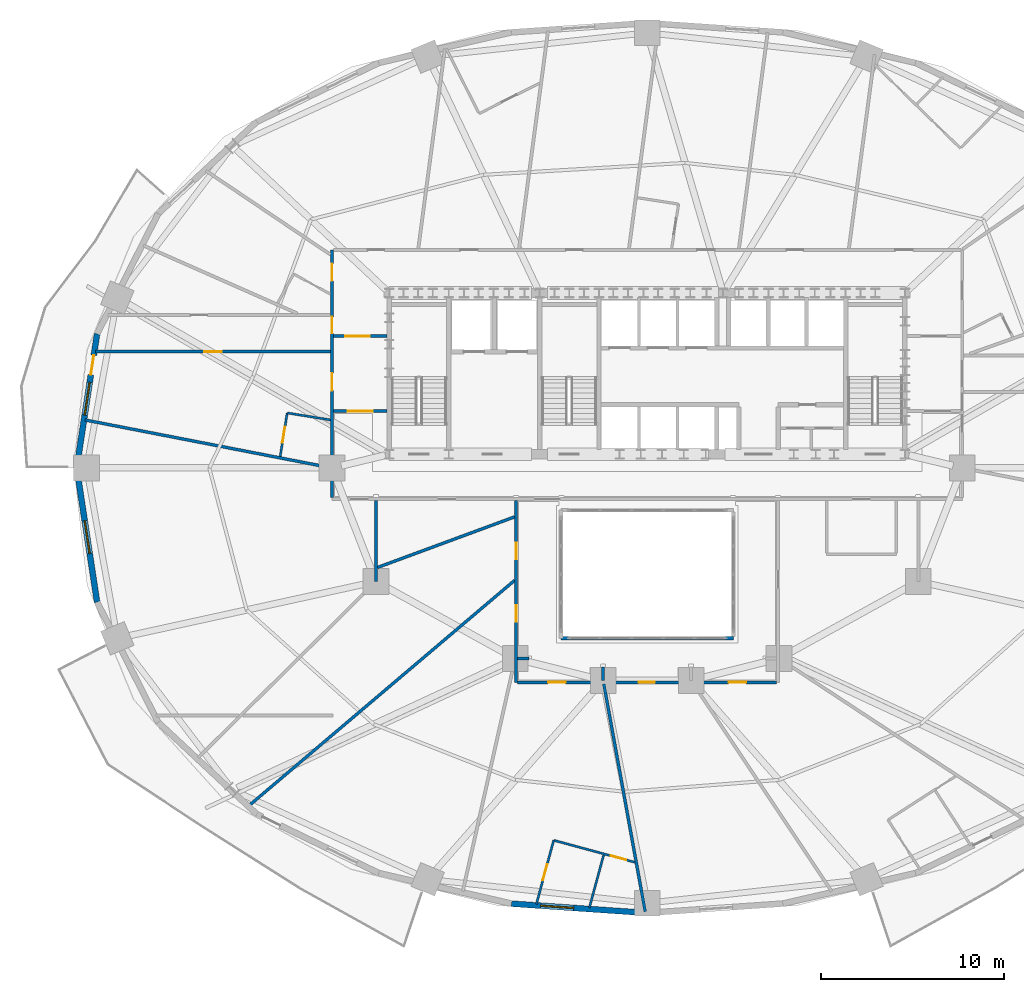
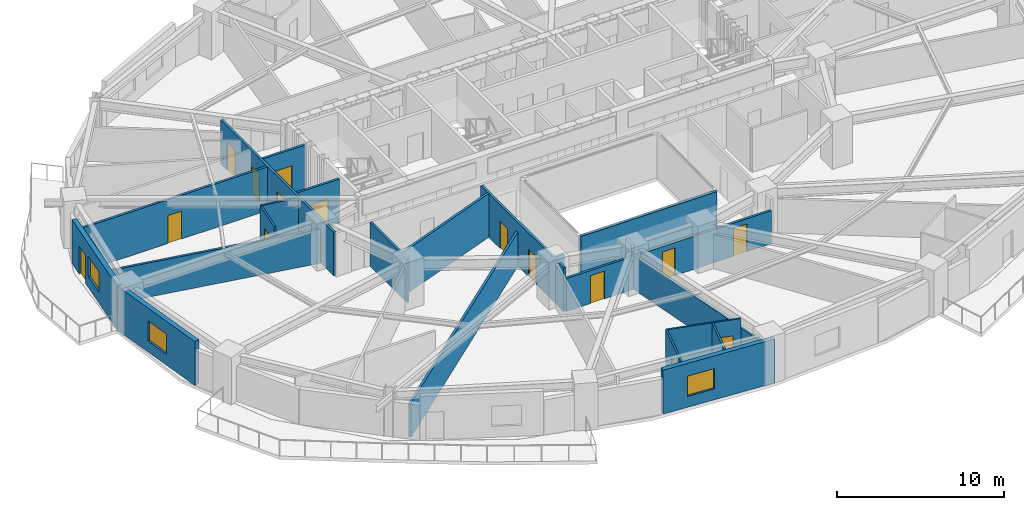
# One storey, part 9 of 17: 22 walls, 15 doors, 3 windows, 18 openings.
"""IFC4 building model written with IfcOpenShell, lengths in metres."""

import ifcopenshell
import ifcopenshell.guid

model = None  # the IFC model being written
_history = None  # IfcOwnerHistory: only IFC2X3 demands one
_inside = {}  # id of a spatial element -> (the spatial element, [elements in it])
_under = {}  # id of a project, library or spatial element -> (it, [spatial elements below it])
_declared = {}  # id of a project -> (the project, [libraries it declares])
_typed = {}  # id of a type object -> (the type object, [elements of that type])
_made_of = {}  # id of a material, layer set ... -> (it, [elements and type objects made of it])


def new_model(schema):
    """Start an empty IFC model of exactly this schema.

    Asked for "IFC4X3", IfcOpenShell would pick the latest addendum, in which some entities
    have other attributes; the version numbers below select the first issue.
    IFC2X3 requires an IfcOwnerHistory on every rooted entity: one is made here for all.
    """
    global model, _history
    if schema == "IFC4X3":
        model = ifcopenshell.file(schema_version=(4, 3, 0, 0))
    else:
        model = ifcopenshell.file(schema=schema)
    _inside.clear()
    _under.clear()
    _declared.clear()
    _typed.clear()
    _made_of.clear()
    _history = None
    if model.schema == "IFC2X3":
        org = make("IfcOrganization", Name="unknown")
        user = make(
            "IfcPersonAndOrganization",
            ThePerson=make("IfcPerson", FamilyName="unknown"),
            TheOrganization=org,
        )
        app = make(
            "IfcApplication",
            ApplicationDeveloper=org,
            Version="unknown",
            ApplicationFullName="unknown",
            ApplicationIdentifier="unknown",
        )
        _history = make(
            "IfcOwnerHistory",
            OwningUser=user,
            OwningApplication=app,
            ChangeAction="ADDED",
            CreationDate=0,
        )
    return model


def make(cls, **values):
    """One entity of the class cls with the attributes given. An attribute that is None is left unset."""
    return model.create_entity(
        cls, **{name: value for name, value in values.items() if value is not None}
    )


def rooted(cls, **values):
    """An entity with a GlobalId (a new one), such as an element, a storey or a relation."""
    return make(cls, GlobalId=ifcopenshell.guid.new(), OwnerHistory=_history, **values)


def si_unit(unit_type, name, prefix=None):
    """IfcSIUnit, for example si_unit("LENGTHUNIT", "METRE", prefix="MILLI")."""
    return make("IfcSIUnit", UnitType=unit_type, Prefix=prefix, Name=name)


def assignment(units):
    """IfcUnitAssignment: the units of a project."""
    return None if units is None else make("IfcUnitAssignment", Units=units)


def point(xyz):
    """IfcCartesianPoint."""
    return None if xyz is None else make("IfcCartesianPoint", Coordinates=xyz)


def direction(xyz):
    """IfcDirection."""
    return None if xyz is None else make("IfcDirection", DirectionRatios=xyz)


def frame(location, z_axis=None, x_axis=None):
    """IfcAxis2Placement3D, a coordinate frame: its origin and axes. An axis left out is left unset."""
    return make(
        "IfcAxis2Placement3D",
        Location=point(location),
        Axis=direction(z_axis),
        RefDirection=direction(x_axis),
    )


def frame_2d(location, x_axis=None):
    """IfcAxis2Placement2D, a coordinate frame in the plane: its origin and x axis."""
    return make(
        "IfcAxis2Placement2D", Location=point(location), RefDirection=direction(x_axis)
    )


def origin():
    """The frame at (0, 0, 0) with its axes left unset."""
    return frame((0.0, 0.0, 0.0))


def place(relative_to, where):
    """IfcLocalPlacement: puts the frame where relative to a parent placement (None: the world)."""
    return make(
        "IfcLocalPlacement", PlacementRelTo=relative_to, RelativePlacement=where
    )


def context(
    kind, dimensions, precision=None, world=None, true_north=None, identifier=None
):
    """IfcGeometricRepresentationContext, for example the 3D "Model" context."""
    return make(
        "IfcGeometricRepresentationContext",
        ContextIdentifier=identifier,
        ContextType=kind,
        CoordinateSpaceDimension=dimensions,
        Precision=precision,
        WorldCoordinateSystem=world,
        TrueNorth=true_north,
    )


def subcontext(parent, identifier, kind, view, scale=None):
    """IfcGeometricRepresentationSubContext, for example "Body" below "Model"."""
    return make(
        "IfcGeometricRepresentationSubContext",
        ContextIdentifier=identifier,
        ContextType=kind,
        ParentContext=parent,
        TargetScale=scale,
        TargetView=view,
    )


def project(units=None, contexts=None):
    """IfcProject with its units and contexts."""
    return rooted(
        "IfcProject",
        Name="project",
        RepresentationContexts=contexts,
        UnitsInContext=assignment(units),
    )


def spatial(cls, under=None, at=None, **own):
    """A site, building, storey or space (cls), placed at a placement, below another one or the project."""
    s = rooted(cls, ObjectPlacement=at, **own)
    if under is not None:
        _under.setdefault(under.id(), (under, []))[1].append(s)
    return s


def profile(cls, at=None, kind="AREA", **sizes):
    """A parametric profile (cls). Its sizes go by their IFC names, for example OverallWidth=200.0."""
    return make(cls, ProfileType=kind, Position=at, **sizes)


def rectangle(**sizes):
    """IfcRectangleProfileDef."""
    return profile("IfcRectangleProfileDef", **sizes)


def extrude(swept, where, along, depth):
    """IfcExtrudedAreaSolid: the profile swept, set in the frame where, extruded along a direction by depth."""
    return make(
        "IfcExtrudedAreaSolid",
        SweptArea=swept,
        Position=where,
        ExtrudedDirection=direction(along),
        Depth=depth,
    )


def shape(context_of_items, identifier, shape_type, items):
    """IfcShapeRepresentation: the items that make up one representation, for example the "Body"."""
    return make(
        "IfcShapeRepresentation",
        ContextOfItems=context_of_items,
        RepresentationIdentifier=identifier,
        RepresentationType=shape_type,
        Items=items,
    )


def material(Name=None, Category=None):
    """IfcMaterial."""
    return make("IfcMaterial", Name=Name, Category=Category)


def layer(
    of_material, thickness, ventilated=None, Name=None, Category=None, Priority=None
):
    """IfcMaterialLayer: one layer of a wall or slab, of a material (None: an air gap)."""
    return make(
        "IfcMaterialLayer",
        Material=of_material,
        LayerThickness=thickness,
        IsVentilated=ventilated,
        Name=Name,
        Category=Category,
        Priority=Priority,
    )


def layer_set(layers, Name=None):
    """IfcMaterialLayerSet."""
    return make("IfcMaterialLayerSet", MaterialLayers=layers, LayerSetName=Name)


def made_of(thing, what):
    """Note that an element or type object is made of a material, layer set ...; save() writes the relation."""
    if what is not None:
        _made_of.setdefault(what.id(), (what, []))[1].append(thing)
    return thing


def type_object(cls, material=None, **own):
    """A type object (cls), such as IfcWallType, which elements share."""
    return made_of(rooted(cls, **own), material)


def element(
    cls,
    number,
    at=None,
    inside=None,
    cuts=None,
    type_object=None,
    material=None,
    context=None,
    identifier="Body",
    shape_type=None,
    held_by="IfcProductDefinitionShape",
    body=None,
    shapes=None,
    **own,
):
    """One element of the class cls, such as IfcWall. Its Tag is "e" and its number.

    at: its placement. inside: the storey or other place that contains it. cuts: it is an
    opening in that element (IfcRelVoidsElement). A single representation is given by context,
    identifier, shape_type and body (its items); several are given by shapes. held_by: the class
    of the entity that holds the representations. save() writes the other relations.
    """
    e = rooted(cls, Tag="e%d" % number, ObjectPlacement=at, **own)
    if body is not None:
        shapes = [shape(context, identifier, shape_type, body)]
    if shapes is not None:
        e.Representation = make(held_by, Representations=shapes)
    if inside is not None:
        _inside.setdefault(inside.id(), (inside, []))[1].append(e)
    if cuts is not None:
        rooted(
            "IfcRelVoidsElement", RelatingBuildingElement=cuts, RelatedOpeningElement=e
        )
    if type_object is not None:
        _typed.setdefault(type_object.id(), (type_object, []))[1].append(e)
    return made_of(e, material)


def fill(opening, filler):
    """IfcRelFillsElement: the door or window that sits in an opening."""
    return rooted(
        "IfcRelFillsElement",
        RelatingOpeningElement=opening,
        RelatedBuildingElement=filler,
    )


def aggregate(whole, parts):
    """IfcRelAggregates: a whole, such as a stair, and the parts it consists of."""
    return rooted("IfcRelAggregates", RelatingObject=whole, RelatedObjects=parts)


def save(model, path):
    """Write the relations noted so far, then the file.

    IfcRelAggregates (storeys below a building ...), IfcRelContainedInSpatialStructure (elements
    in a storey), IfcRelDefinesByType, IfcRelAssociatesMaterial and IfcRelDeclares: one each for
    every whole, place, type object, material and project.
    """
    for whole, parts in _under.values():
        aggregate(whole, parts)
    for where, things in _inside.values():
        rooted(
            "IfcRelContainedInSpatialStructure",
            RelatedElements=things,
            RelatingStructure=where,
        )
    for kind, things in _typed.values():
        rooted("IfcRelDefinesByType", RelatedObjects=things, RelatingType=kind)
    for what, things in _made_of.values():
        rooted("IfcRelAssociatesMaterial", RelatedObjects=things, RelatingMaterial=what)
    for by, libraries in _declared.values():
        rooted("IfcRelDeclares", RelatingContext=by, RelatedDefinitions=libraries)
    model.write(path)


model = new_model("IFC4")

# Units and contexts
model_context = context("Model", 3, precision=1e-05, world=origin(), true_north=direction((0.0, 1.0)))
body_context = subcontext(model_context, "Body", "Model", "MODEL_VIEW")
ifc_project = project(units=[si_unit("LENGTHUNIT", "METRE"), si_unit("AREAUNIT", "SQUARE_METRE"), si_unit("VOLUMEUNIT", "CUBIC_METRE"), si_unit("PLANEANGLEUNIT", "RADIAN"), si_unit("MASSUNIT", "GRAM", prefix="KILO")], contexts=[model_context])

# Site, building, storey
site_placement = place(None, origin())
site = spatial("IfcSite", under=ifc_project, at=site_placement, CompositionType="ELEMENT")
building_placement = place(site_placement, origin())
building = spatial("IfcBuilding", under=site, at=building_placement, Name="Haldorwick Loom Tower", CompositionType="ELEMENT")
storey_placement = place(building_placement, frame((0.0, 0.0, 58.5)))
storey = spatial("IfcBuildingStorey", under=building, at=storey_placement, Name="L15", CompositionType="ELEMENT", Elevation=58.5)

# Wall, openings, door, window
ifc_material_1 = material(Name="Pressed Clay Face Brick and Insulated Masonry Backup Assembly", Category="masonry")
ifc_layer_1 = layer(ifc_material_1, 0.320068359375, Name="Pressed Clay Face Brick and Insulated Masonry Backup Assembly", Category="masonry")
ifc_layer_set_1 = layer_set([ifc_layer_1], Name="Pressed Clay Face Brick and Insulated Masonry Backup Assembly")
wall_type_1 = type_object("IfcWallType", Name="ARC-WL-EXT320", PredefinedType="STANDARD", material=ifc_layer_set_1)
wall_1_placement = place(storey_placement, frame((5.978271484375, 33.320556640625, 0.0), z_axis=(0.0, 0.0, 1.0), x_axis=(-0.150476322528, -0.988613613278, 0.0)))
wall_1 = element("IfcWall", 1, at=wall_1_placement, inside=storey, type_object=wall_type_1, Name="L15 Brick Pier and Spandrel Wall 12", PredefinedType="STANDARD", context=body_context, shape_type="SweptSolid", body=[
    extrude(rectangle(XDim=7.40478515625, YDim=0.320068359375, at=frame_2d((3.702392578125, 0.0))), origin(), (0.0, 0.0, 1.0), 3.2099609375),
])
opening_1_placement = place(wall_1_placement, frame((1.1806640625, 0.0, 0.0)))
opening_1 = element("IfcOpeningElement", 2, at=opening_1_placement, cuts=wall_1, Name="Opening D-BL11", PredefinedType="OPENING", context=body_context, shape_type="SweptSolid", body=[
    extrude(rectangle(XDim=1.080078125, YDim=2.0400390625, at=frame_2d((0.5400390625, 1.02001953125))), frame((0.0, 0.169921875, 0.0), z_axis=(0.0, -1.0, 0.0), x_axis=(1.0, 0.0, 0.0)), (0.0, 0.0, 1.0), 0.340087890625),
])
opening_2_placement = place(wall_1_placement, frame((2.682373046875, 0.0, 0.800048828125)))
opening_2 = element("IfcOpeningElement", 3, at=opening_2_placement, cuts=wall_1, Name="Opening W-01", PredefinedType="OPENING", context=body_context, shape_type="SweptSolid", body=[
    extrude(rectangle(XDim=1.800048828125, YDim=1.47998046875, at=frame_2d((0.89990234375, 0.739990234375))), frame((0.0, 0.169921875, 0.0), z_axis=(0.0, -1.0, 0.0), x_axis=(1.0, 0.0, 0.0)), (0.0, 0.0, 1.0), 0.340087890625),
])
ifc_material_2 = material(Name="Thermally Broken Anodized Aluminium Curtain Wall Framing", Category="aluminium")
door_type_1 = type_object("IfcDoorType", Name="ARC-DR-BAL110", OperationType="NOTDEFINED", PredefinedType="DOOR", material=ifc_material_2)
door_1_placement = place(opening_1_placement, origin())
door_1 = element("IfcDoor", 4, at=door_1_placement, inside=storey, type_object=door_type_1, Name="L15 Outdoor Terrace Door SLB-L15-BAL_WNW", OperationType="SINGLE_SWING_RIGHT", OverallHeight=2.0400390625, OverallWidth=1.080078125, PredefinedType="DOOR", context=body_context, shape_type="SweptSolid", body=[
    extrude(rectangle(XDim=1.080078125, YDim=2.0400390625, at=frame_2d((0.5400390625, 1.02001953125))), frame((0.0, 0.02490234375, 0.0), z_axis=(0.0, -1.0, 0.0), x_axis=(1.0, 0.0, 0.0)), (0.0, 0.0, 1.0), 0.050048828125),
])
fill(opening_1, door_1)
ifc_material_3 = material(Name="Triple-Glazed Low-E Argon Insulated Glazing Unit", Category="glass")
window_type = type_object("IfcWindowType", Name="ARC-WIN-W180", PartitioningType="SINGLE_PANEL", PredefinedType="WINDOW", material=ifc_material_3)
window_1_placement = place(opening_2_placement, origin())
window_1 = element("IfcWindow", 5, at=window_1_placement, inside=storey, type_object=window_type, Name="L15 Deep-Set Zone 7A Window 12", OverallHeight=1.47998046875, OverallWidth=1.800048828125, PartitioningType="SINGLE_PANEL", PredefinedType="WINDOW", context=body_context, shape_type="SweptSolid", body=[
    extrude(rectangle(XDim=1.800048828125, YDim=1.47998046875, at=frame_2d((0.89990234375, 0.739990234375))), frame((0.0, 0.030029296875, 0.0), z_axis=(0.0, -1.0, 0.0), x_axis=(1.0, 0.0, 0.0)), (0.0, 0.0, 1.0), 0.06005859375),
])
fill(opening_2, window_1)

# Wall, opening, window
wall_2_placement = place(storey_placement, frame((4.864013671875, 26.0, 0.0), z_axis=(0.0, 0.0, 1.0), x_axis=(0.150476322528, -0.988613613278, 0.0)))
wall_2 = element("IfcWall", 6, at=wall_2_placement, inside=storey, type_object=wall_type_1, Name="L15 Brick Pier and Spandrel Wall 13", PredefinedType="STANDARD", context=body_context, shape_type="SweptSolid", body=[
    extrude(rectangle(XDim=7.40478515625, YDim=0.320068359375, at=frame_2d((3.702392578125, 0.0))), origin(), (0.0, 0.0, 1.0), 3.2099609375),
])
opening_3_placement = place(wall_2_placement, frame((2.922607421875, 0.0, 0.800048828125)))
opening_3 = element("IfcOpeningElement", 7, at=opening_3_placement, cuts=wall_2, Name="Opening W-01", PredefinedType="OPENING", context=body_context, shape_type="SweptSolid", body=[
    extrude(rectangle(XDim=1.800048828125, YDim=1.47998046875, at=frame_2d((0.89990234375, 0.739990234375))), frame((0.0, 0.169921875, 0.0), z_axis=(0.0, -1.0, 0.0), x_axis=(1.0, 0.0, 0.0)), (0.0, 0.0, 1.0), 0.340087890625),
])
window_2_placement = place(opening_3_placement, origin())
window_2 = element("IfcWindow", 8, at=window_2_placement, inside=storey, type_object=window_type, Name="L15 Deep-Set Zone 7A Window 13", OverallHeight=1.47998046875, OverallWidth=1.800048828125, PartitioningType="SINGLE_PANEL", PredefinedType="WINDOW", context=body_context, shape_type="SweptSolid", body=[
    extrude(rectangle(XDim=1.800048828125, YDim=1.47998046875, at=frame_2d((0.89990234375, 0.739990234375))), frame((0.0, 0.030029296875, 0.0), z_axis=(0.0, -1.0, 0.0), x_axis=(1.0, 0.0, 0.0)), (0.0, 0.0, 1.0), 0.06005859375),
])
fill(opening_3, window_2)

wall_3_placement = place(storey_placement, frame((28.588623046875, 2.219482421875, 0.0), z_axis=(0.0, 0.0, 1.0), x_axis=(0.997645161917, -0.068586667092, 0.0)))
wall_3 = element("IfcWall", 9, at=wall_3_placement, inside=storey, type_object=wall_type_1, Name="L15 Brick Pier and Spandrel Wall 18", PredefinedType="STANDARD", context=body_context, shape_type="SweptSolid", body=[
    extrude(rectangle(XDim=7.428955078125, YDim=0.320068359375, at=frame_2d((3.71435546875, 0.0))), origin(), (0.0, 0.0, 1.0), 3.2099609375),
])
opening_4_placement = place(wall_3_placement, frame((1.607421875, 0.0, 0.800048828125)))
opening_4 = element("IfcOpeningElement", 10, at=opening_4_placement, cuts=wall_3, Name="Opening W-01", PredefinedType="OPENING", context=body_context, shape_type="SweptSolid", body=[
    extrude(rectangle(XDim=1.800048828125, YDim=1.47998046875, at=frame_2d((0.89990234375, 0.739990234375))), frame((0.0, 0.169921875, 0.0), z_axis=(0.0, -1.0, 0.0), x_axis=(1.0, 0.0, 0.0)), (0.0, 0.0, 1.0), 0.340087890625),
])
window_3_placement = place(opening_4_placement, origin())
window_3 = element("IfcWindow", 11, at=window_3_placement, inside=storey, type_object=window_type, Name="L15 Deep-Set Zone 7A Window 18", OverallHeight=1.47998046875, OverallWidth=1.800048828125, PartitioningType="SINGLE_PANEL", PredefinedType="WINDOW", context=body_context, shape_type="SweptSolid", body=[
    extrude(rectangle(XDim=1.800048828125, YDim=1.47998046875, at=frame_2d((0.89990234375, 0.739990234375))), frame((0.0, 0.030029296875, 0.0), z_axis=(0.0, -1.0, 0.0), x_axis=(1.0, 0.0, 0.0)), (0.0, 0.0, 1.0), 0.06005859375),
])
fill(opening_4, window_3)

# Wall, openings, doors
ifc_material_4 = material(Name="Fire-Rated Type X Gypsum Stud Assembly EI 60")
ifc_layer_2 = layer(ifc_material_4, 0.159912109375, Name="Fire-Rated Type X Gypsum Stud Assembly EI 60")
ifc_layer_set_2 = layer_set([ifc_layer_2], Name="Fire-Rated Type X Gypsum Stud Assembly EI 60")
wall_type_2 = type_object("IfcWallType", Name="ARC-WL-FIRE160", PredefinedType="PARTITIONING", material=ifc_layer_set_2)
wall_4_placement = place(storey_placement, frame((18.800048828125, 24.383056640625, 0.0), z_axis=(0.0, 0.0, 1.0), x_axis=(0.0, 1.0, 0.0)))
wall_4 = element("IfcWall", 12, at=wall_4_placement, inside=storey, type_object=wall_type_2, Name="L15 Residential Fire Partition L15-CR-W0", PredefinedType="PARTITIONING", context=body_context, shape_type="SweptSolid", body=[
    extrude(rectangle(XDim=13.516845703125, YDim=0.159912109375, at=frame_2d((6.75830078125, 0.0))), origin(), (0.0, 0.0, 1.0), 3.195068359375),
])
opening_5_placement = place(wall_4_placement, frame((8.967529296875, 0.0, 0.0)))
opening_5 = element("IfcOpeningElement", 13, at=opening_5_placement, cuts=wall_4, Name="Opening D-FD60A", PredefinedType="OPENING", context=body_context, shape_type="SweptSolid", body=[
    extrude(rectangle(XDim=0.89990234375, YDim=2.0, at=frame_2d((0.449951171875, 1.0))), frame((0.0, 0.08984375, 0.0), z_axis=(0.0, -1.0, 0.0), x_axis=(1.0, 0.0, 0.0)), (0.0, 0.0, 1.0), 0.179931640625),
])
opening_6_placement = place(wall_4_placement, frame((5.84033203125, 0.0, 0.0)))
opening_6 = element("IfcOpeningElement", 14, at=opening_6_placement, cuts=wall_4, Name="Opening D-FL95", PredefinedType="OPENING", context=body_context, shape_type="SweptSolid", body=[
    extrude(rectangle(XDim=0.949951171875, YDim=2.0400390625, at=frame_2d((0.47509765625, 1.02001953125))), frame((0.0, 0.08984375, 0.0), z_axis=(0.0, -1.0, 0.0), x_axis=(1.0, 0.0, 0.0)), (0.0, 0.0, 1.0), 0.179931640625),
])
opening_7_placement = place(wall_4_placement, frame((11.8232421875, 0.0, 0.0)))
opening_7 = element("IfcOpeningElement", 15, at=opening_7_placement, cuts=wall_4, Name="Opening D-FL95", PredefinedType="OPENING", context=body_context, shape_type="SweptSolid", body=[
    extrude(rectangle(XDim=0.949951171875, YDim=2.0400390625, at=frame_2d((0.47509765625, 1.02001953125))), frame((0.0, 0.08984375, 0.0), z_axis=(0.0, -1.0, 0.0), x_axis=(1.0, 0.0, 0.0)), (0.0, 0.0, 1.0), 0.179931640625),
])
ifc_material_5 = material(Name="Hollow Steel Fire Door Assembly", Category="steel")
door_type_2 = type_object("IfcDoorType", Name="ARC-DR-FD60-90", OperationType="NOTDEFINED", PredefinedType="DOOR", material=ifc_material_5)
door_2_placement = place(opening_5_placement, origin())
door_2 = element("IfcDoor", 16, at=door_2_placement, inside=storey, type_object=door_type_2, Name="L15 L15 West Daylight Corridor to L15 North Residential Corridor Door", OperationType="SINGLE_SWING_RIGHT", OverallHeight=2.0, OverallWidth=0.89990234375, PredefinedType="DOOR", context=body_context, shape_type="SweptSolid", body=[
    extrude(rectangle(XDim=0.89990234375, YDim=2.0, at=frame_2d((0.449951171875, 1.0))), frame((0.0, 0.02490234375, 0.0), z_axis=(0.0, -1.0, 0.0), x_axis=(1.0, 0.0, 0.0)), (0.0, 0.0, 1.0), 0.050048828125),
])
fill(opening_5, door_2)
ifc_material_6 = material(Name="Solid Core Birch Architectural Door")
door_type_3 = type_object("IfcDoorType", Name="ARC-DR-FLAT95", OperationType="NOTDEFINED", PredefinedType="DOOR", material=ifc_material_6)
door_3_placement = place(opening_6_placement, frame((0.949951171875, 0.0, 0.0), z_axis=(0.0, 0.0, 1.0), x_axis=(-1.0, 0.0, 0.0)))
door_3 = element("IfcDoor", 17, at=door_3_placement, inside=storey, type_object=door_type_3, Name="L15 Unit 15D Kitchen and Studio Living Room to L15 West Residential Corr", OperationType="SINGLE_SWING_RIGHT", OverallHeight=2.0400390625, OverallWidth=0.949951171875, PredefinedType="DOOR", context=body_context, shape_type="SweptSolid", body=[
    extrude(rectangle(XDim=0.949951171875, YDim=2.0400390625, at=frame_2d((0.47509765625, 1.02001953125))), frame((0.0, 0.02490234375, 0.0), z_axis=(0.0, -1.0, 0.0), x_axis=(1.0, 0.0, 0.0)), (0.0, 0.0, 1.0), 0.050048828125),
])
fill(opening_6, door_3)
door_4_placement = place(opening_7_placement, frame((0.949951171875, 0.0, 0.0), z_axis=(0.0, 0.0, 1.0), x_axis=(-1.0, 0.0, 0.0)))
door_4 = element("IfcDoor", 18, at=door_4_placement, inside=storey, type_object=door_type_3, Name="L15 Unit 15L Kitchen and Studio Living Room to L15 North Residential Cor", OperationType="SINGLE_SWING_LEFT", OverallHeight=2.0400390625, OverallWidth=0.949951171875, PredefinedType="DOOR", context=body_context, shape_type="SweptSolid", body=[
    extrude(rectangle(XDim=0.949951171875, YDim=2.0400390625, at=frame_2d((0.47509765625, 1.02001953125))), frame((0.0, 0.02490234375, 0.0), z_axis=(0.0, -1.0, 0.0), x_axis=(1.0, 0.0, 0.0)), (0.0, 0.0, 1.0), 0.050048828125),
])
fill(opening_7, door_4)

# Wall, opening, door
wall_5_placement = place(storey_placement, frame((18.883056640625, 29.10009765625, 0.0), z_axis=(0.0, 0.0, 1.0), x_axis=(1.0, 0.0, 0.0)))
wall_5 = element("IfcWall", 19, at=wall_5_placement, inside=storey, type_object=wall_type_2, Name="L15 Residential Fire Partition L15-CR-WSJ", PredefinedType="PARTITIONING", context=body_context, shape_type="SweptSolid", body=[
    extrude(rectangle(XDim=2.923828125, YDim=0.159912109375, at=frame_2d((1.4619140625, 0.0))), origin(), (0.0, 0.0, 1.0), 3.195068359375),
])
opening_8_placement = place(wall_5_placement, frame((0.787109375, 0.0, 0.0)))
opening_8 = element("IfcOpeningElement", 20, at=opening_8_placement, cuts=wall_5, Name="Opening D-CR15", PredefinedType="OPENING", context=body_context, shape_type="SweptSolid", body=[
    extrude(rectangle(XDim=1.35009765625, YDim=2.0, at=frame_2d((0.675048828125, 1.0))), frame((0.0, 0.08984375, 0.0), z_axis=(0.0, -1.0, 0.0), x_axis=(1.0, 0.0, 0.0)), (0.0, 0.0, 1.0), 0.179931640625),
])
ifc_material_7 = material(Name="Thermally Broken Anodized Aluminium and Tempered Glass", Category="aluminium")
door_type_4 = type_object("IfcDoorType", Name="ARC-DR-COR150", OperationType="NOTDEFINED", PredefinedType="DOOR", material=ifc_material_7)
door_5_placement = place(opening_8_placement, origin())
door_5 = element("IfcDoor", 21, at=door_5_placement, inside=storey, type_object=door_type_4, Name="L15 L15 West Residential Corridor to L15 Central Residential Corridor Do", OperationType="DOUBLE_DOOR_SINGLE_SWING", OverallHeight=2.0, OverallWidth=1.35009765625, PredefinedType="DOOR", context=body_context, shape_type="SweptSolid", body=[
    extrude(rectangle(XDim=1.35009765625, YDim=2.0, at=frame_2d((0.675048828125, 1.0))), frame((0.0, 0.02490234375, 0.0), z_axis=(0.0, -1.0, 0.0), x_axis=(1.0, 0.0, 0.0)), (0.0, 0.0, 1.0), 0.050048828125),
])
fill(opening_8, door_5)

wall_6_placement = place(storey_placement, frame((18.883056640625, 33.199951171875, 0.0), z_axis=(0.0, 0.0, 1.0), x_axis=(1.0, 0.0, 0.0)))
wall_6 = element("IfcWall", 22, at=wall_6_placement, inside=storey, type_object=wall_type_2, Name="L15 Residential Fire Partition L15-CR-WNJ", PredefinedType="PARTITIONING", context=body_context, shape_type="SweptSolid", body=[
    extrude(rectangle(XDim=2.923828125, YDim=0.159912109375, at=frame_2d((1.4619140625, 0.0))), origin(), (0.0, 0.0, 1.0), 3.195068359375),
])
opening_9_placement = place(wall_6_placement, frame((0.637939453125, 0.0, 0.0)))
opening_9 = element("IfcOpeningElement", 23, at=opening_9_placement, cuts=wall_6, Name="Opening D-CR15", PredefinedType="OPENING", context=body_context, shape_type="SweptSolid", body=[
    extrude(rectangle(XDim=1.35009765625, YDim=2.0, at=frame_2d((0.675048828125, 1.0))), frame((0.0, 0.08984375, 0.0), z_axis=(0.0, -1.0, 0.0), x_axis=(1.0, 0.0, 0.0)), (0.0, 0.0, 1.0), 0.179931640625),
])
door_6_placement = place(opening_9_placement, origin())
door_6 = element("IfcDoor", 24, at=door_6_placement, inside=storey, type_object=door_type_4, Name="L15 L15 North Residential Corridor to L15 West Residential Corridor Door", OperationType="DOUBLE_DOOR_SINGLE_SWING", OverallHeight=2.0, OverallWidth=1.35009765625, PredefinedType="DOOR", context=body_context, shape_type="SweptSolid", body=[
    extrude(rectangle(XDim=1.35009765625, YDim=2.0, at=frame_2d((0.675048828125, 1.0))), frame((0.0, 0.02490234375, 0.0), z_axis=(0.0, -1.0, 0.0), x_axis=(1.0, 0.0, 0.0)), (0.0, 0.0, 1.0), 0.050048828125),
])
fill(opening_9, door_6)

# Wall, openings, doors
wall_7_placement = place(storey_placement, frame((28.85009765625, 14.300048828125, 0.0), z_axis=(0.0, 0.0, 1.0), x_axis=(0.0, 1.0, 0.0)))
wall_7 = element("IfcWall", 25, at=wall_7_placement, inside=storey, type_object=wall_type_2, Name="L15 Residential Fire Partition L15-CR-AW", PredefinedType="PARTITIONING", context=body_context, shape_type="SweptSolid", body=[
    extrude(rectangle(XDim=9.9169921875, YDim=0.159912109375, at=frame_2d((4.95849609375, 0.0))), origin(), (0.0, 0.0, 1.0), 3.195068359375),
])
opening_10_placement = place(wall_7_placement, frame((3.30029296875, 0.0, 0.0)))
opening_10 = element("IfcOpeningElement", 26, at=opening_10_placement, cuts=wall_7, Name="Opening D-FD60A", PredefinedType="OPENING", context=body_context, shape_type="SweptSolid", body=[
    extrude(rectangle(XDim=0.89990234375, YDim=2.0, at=frame_2d((0.449951171875, 1.0))), frame((0.0, 0.08984375, 0.0), z_axis=(0.0, -1.0, 0.0), x_axis=(1.0, 0.0, 0.0)), (0.0, 0.0, 1.0), 0.179931640625),
])
opening_11_placement = place(wall_7_placement, frame((6.71240234375, 0.0, 0.0)))
opening_11 = element("IfcOpeningElement", 27, at=opening_11_placement, cuts=wall_7, Name="Opening D-FD60A", PredefinedType="OPENING", context=body_context, shape_type="SweptSolid", body=[
    extrude(rectangle(XDim=0.89990234375, YDim=2.0, at=frame_2d((0.449951171875, 1.0))), frame((0.0, 0.08984375, 0.0), z_axis=(0.0, -1.0, 0.0), x_axis=(1.0, 0.0, 0.0)), (0.0, 0.0, 1.0), 0.179931640625),
])
door_7_placement = place(opening_10_placement, frame((0.89990234375, 0.0, 0.0), z_axis=(0.0, 0.0, 1.0), x_axis=(-1.0, 0.0, 0.0)))
door_7 = element("IfcDoor", 28, at=door_7_placement, inside=storey, type_object=door_type_2, Name="L15 Co-Working Open Office 14 to L15 South Atrium Corridor Door", OperationType="SINGLE_SWING_LEFT", OverallHeight=2.0, OverallWidth=0.89990234375, PredefinedType="DOOR", context=body_context, shape_type="SweptSolid", body=[
    extrude(rectangle(XDim=0.89990234375, YDim=2.0, at=frame_2d((0.449951171875, 1.0))), frame((0.0, 0.02490234375, 0.0), z_axis=(0.0, -1.0, 0.0), x_axis=(1.0, 0.0, 0.0)), (0.0, 0.0, 1.0), 0.050048828125),
])
fill(opening_10, door_7)
door_8_placement = place(opening_11_placement, frame((0.89990234375, 0.0, 0.0), z_axis=(0.0, 0.0, 1.0), x_axis=(-1.0, 0.0, 0.0)))
door_8 = element("IfcDoor", 29, at=door_8_placement, inside=storey, type_object=door_type_2, Name="L15 Co-Working Open Office 9 to L15 South Atrium Corridor Door", OperationType="SINGLE_SWING_LEFT", OverallHeight=2.0, OverallWidth=0.89990234375, PredefinedType="DOOR", context=body_context, shape_type="SweptSolid", body=[
    extrude(rectangle(XDim=0.89990234375, YDim=2.0, at=frame_2d((0.449951171875, 1.0))), frame((0.0, 0.02490234375, 0.0), z_axis=(0.0, -1.0, 0.0), x_axis=(1.0, 0.0, 0.0)), (0.0, 0.0, 1.0), 0.050048828125),
])
fill(opening_11, door_8)

wall_8_placement = place(storey_placement, frame((28.93310546875, 14.300048828125, 0.0), z_axis=(0.0, 0.0, 1.0), x_axis=(1.0, 0.0, 0.0)))
wall_8 = element("IfcWall", 30, at=wall_8_placement, inside=storey, type_object=wall_type_2, Name="L15 Residential Fire Partition L15-CR-AS", PredefinedType="PARTITIONING", context=body_context, shape_type="SweptSolid", body=[
    extrude(rectangle(XDim=14.1337890625, YDim=0.159912109375, at=frame_2d((7.06689453125, 0.0))), origin(), (0.0, 0.0, 1.0), 2.412109375),
])
opening_12_placement = place(wall_8_placement, frame((6.606689453125, 0.0, 0.0)))
opening_12 = element("IfcOpeningElement", 31, at=opening_12_placement, cuts=wall_8, Name="Opening D-FD88", PredefinedType="OPENING", context=body_context, shape_type="SweptSolid", body=[
    extrude(rectangle(XDim=0.8798828125, YDim=2.02001953125, at=frame_2d((0.43994140625, 1.010009765625))), frame((0.0, 0.08984375, 0.0), z_axis=(0.0, -1.0, 0.0), x_axis=(1.0, 0.0, 0.0)), (0.0, 0.0, 1.0), 0.179931640625),
])
opening_13_placement = place(wall_8_placement, frame((1.66259765625, 0.0, 0.0)))
opening_13 = element("IfcOpeningElement", 32, at=opening_13_placement, cuts=wall_8, Name="Opening D-FL95", PredefinedType="OPENING", context=body_context, shape_type="SweptSolid", body=[
    extrude(rectangle(XDim=0.949951171875, YDim=2.0400390625, at=frame_2d((0.47509765625, 1.02001953125))), frame((0.0, 0.08984375, 0.0), z_axis=(0.0, -1.0, 0.0), x_axis=(1.0, 0.0, 0.0)), (0.0, 0.0, 1.0), 0.179931640625),
])
opening_14_placement = place(wall_8_placement, frame((11.5126953125, 0.0, 0.0)))
opening_14 = element("IfcOpeningElement", 33, at=opening_14_placement, cuts=wall_8, Name="Opening D-FL95", PredefinedType="OPENING", context=body_context, shape_type="SweptSolid", body=[
    extrude(rectangle(XDim=0.949951171875, YDim=2.0400390625, at=frame_2d((0.47509765625, 1.02001953125))), frame((0.0, 0.08984375, 0.0), z_axis=(0.0, -1.0, 0.0), x_axis=(1.0, 0.0, 0.0)), (0.0, 0.0, 1.0), 0.179931640625),
])
door_type_5 = type_object("IfcDoorType", Name="ARC-DR-FD60-88", OperationType="NOTDEFINED", PredefinedType="DOOR", material=ifc_material_5)
door_9_placement = place(opening_12_placement, origin())
door_9 = element("IfcDoor", 34, at=door_9_placement, inside=storey, type_object=door_type_5, Name="L15 L15 South Atrium Corridor to Co-Working Open Office 1 Door", OperationType="SINGLE_SWING_RIGHT", OverallHeight=2.02001953125, OverallWidth=0.8798828125, PredefinedType="DOOR", context=body_context, shape_type="SweptSolid", body=[
    extrude(rectangle(XDim=0.8798828125, YDim=2.02001953125, at=frame_2d((0.43994140625, 1.010009765625))), frame((0.0, 0.02490234375, 0.0), z_axis=(0.0, -1.0, 0.0), x_axis=(1.0, 0.0, 0.0)), (0.0, 0.0, 1.0), 0.050048828125),
])
fill(opening_12, door_9)
door_10_placement = place(opening_13_placement, origin())
door_10 = element("IfcDoor", 35, at=door_10_placement, inside=storey, type_object=door_type_3, Name="L15 L15 South Atrium Corridor to Unit 15B Kitchen and Living Room Door", OperationType="SINGLE_SWING_RIGHT", OverallHeight=2.0400390625, OverallWidth=0.949951171875, PredefinedType="DOOR", context=body_context, shape_type="SweptSolid", body=[
    extrude(rectangle(XDim=0.949951171875, YDim=2.0400390625, at=frame_2d((0.47509765625, 1.02001953125))), frame((0.0, 0.02490234375, 0.0), z_axis=(0.0, -1.0, 0.0), x_axis=(1.0, 0.0, 0.0)), (0.0, 0.0, 1.0), 0.050048828125),
])
fill(opening_13, door_10)
door_11_placement = place(opening_14_placement, origin())
door_11 = element("IfcDoor", 36, at=door_11_placement, inside=storey, type_object=door_type_3, Name="L15 L15 South Atrium Corridor to Unit 15C Kitchen and Living Room Door", OperationType="SINGLE_SWING_RIGHT", OverallHeight=2.0400390625, OverallWidth=0.949951171875, PredefinedType="DOOR", context=body_context, shape_type="SweptSolid", body=[
    extrude(rectangle(XDim=0.949951171875, YDim=2.0400390625, at=frame_2d((0.47509765625, 1.02001953125))), frame((0.0, 0.02490234375, 0.0), z_axis=(0.0, -1.0, 0.0), x_axis=(1.0, 0.0, 0.0)), (0.0, 0.0, 1.0), 0.050048828125),
])
fill(opening_14, door_11)

# Wall, opening, door
wall_9_placement = place(storey_placement, frame((5.896240234375, 32.35009765625, 0.0), z_axis=(0.0, 0.0, 1.0), x_axis=(1.0, 0.0, 0.0)))
wall_9 = element("IfcWall", 37, at=wall_9_placement, inside=storey, type_object=wall_type_2, Name="L15 Residential Fire Partition L15-CR-GW0", PredefinedType="PARTITIONING", context=body_context, shape_type="SweptSolid", body=[
    extrude(rectangle(XDim=12.82080078125, YDim=0.159912109375, at=frame_2d((6.410400390625, 0.0))), origin(), (0.0, 0.0, 1.0), 3.195068359375),
])
opening_15_placement = place(wall_9_placement, frame((5.935302734375, 0.0, 0.0)))
opening_15 = element("IfcOpeningElement", 38, at=opening_15_placement, cuts=wall_9, Name="Opening D-FL95", PredefinedType="OPENING", context=body_context, shape_type="SweptSolid", body=[
    extrude(rectangle(XDim=0.949951171875, YDim=2.0400390625, at=frame_2d((0.47509765625, 1.02001953125))), frame((0.0, 0.08984375, 0.0), z_axis=(0.0, -1.0, 0.0), x_axis=(1.0, 0.0, 0.0)), (0.0, 0.0, 1.0), 0.179931640625),
])
door_12_placement = place(opening_15_placement, origin())
door_12 = element("IfcDoor", 39, at=door_12_placement, inside=storey, type_object=door_type_3, Name="L15 L15 West Daylight Corridor to Unit 15D Kitchen and Studio Living Roo", OperationType="SINGLE_SWING_RIGHT", OverallHeight=2.0400390625, OverallWidth=0.949951171875, PredefinedType="DOOR", context=body_context, shape_type="SweptSolid", body=[
    extrude(rectangle(XDim=0.949951171875, YDim=2.0400390625, at=frame_2d((0.47509765625, 1.02001953125))), frame((0.0, 0.02490234375, 0.0), z_axis=(0.0, -1.0, 0.0), x_axis=(1.0, 0.0, 0.0)), (0.0, 0.0, 1.0), 0.050048828125),
])
fill(opening_15, door_12)

# Walls
wall_10_placement = place(storey_placement, frame((33.63330078125, 14.217041015625, 0.0), z_axis=(0.0, 0.0, 1.0), x_axis=(0.17898742878, -0.983851360897, 0.0)))
element("IfcWall", 40, at=wall_10_placement, inside=storey, type_object=wall_type_2, Name="L15 Residential Fire Partition L15-ICR-08", PredefinedType="PARTITIONING", context=body_context, shape_type="SweptSolid", body=[
    extrude(rectangle(XDim=12.638916015625, YDim=0.159912109375, at=frame_2d((6.3193359375, 0.0))), origin(), (0.0, 0.0, 1.0), 2.489990234375),
])
wall_11_placement = place(storey_placement, frame((18.717041015625, 26.01611328125, 0.0), z_axis=(0.0, 0.0, 1.0), x_axis=(-0.98162656706, 0.190812166391, 0.0)))
element("IfcWall", 41, at=wall_11_placement, inside=storey, type_object=wall_type_2, Name="L15 Residential Fire Partition L15-ICR-13", PredefinedType="PARTITIONING", context=body_context, shape_type="SweptSolid", body=[
    extrude(rectangle(XDim=13.63916015625, YDim=0.159912109375, at=frame_2d((6.819580078125, 0.0))), origin(), (0.0, 0.0, 1.0), 2.489990234375),
])
wall_12_placement = place(storey_placement, frame((33.60009765625, 15.14990234375, 0.0), z_axis=(0.0, 0.0, 1.0), x_axis=(0.0, -1.0, 0.0)))
element("IfcWall", 42, at=wall_12_placement, inside=storey, type_object=wall_type_2, Name="L15 Residential Fire Partition L15-ICA-07", PredefinedType="PARTITIONING", context=body_context, shape_type="SweptSolid", body=[
    extrude(rectangle(XDim=0.75, YDim=0.159912109375, at=frame_2d((0.375, 0.0))), origin(), (0.0, 0.0, 1.0), 3.195068359375),
])
wall_13_placement = place(storey_placement, frame((29.550048828125, 15.60009765625, 0.0), z_axis=(0.0, 0.0, 1.0), x_axis=(-1.0, 0.0, 0.0)))
element("IfcWall", 43, at=wall_13_placement, inside=storey, type_object=wall_type_2, Name="L15 Residential Fire Partition L15-ICA-09", PredefinedType="PARTITIONING", context=body_context, shape_type="SweptSolid", body=[
    extrude(rectangle(XDim=0.616943359375, YDim=0.159912109375, at=frame_2d((0.30859375, 0.0))), origin(), (0.0, 0.0, 1.0), 3.195068359375),
])
wall_14_placement = place(storey_placement, frame((21.199951171875, 24.217041015625, 0.0), z_axis=(0.0, 0.0, 1.0), x_axis=(0.0, -1.0, 0.0)))
element("IfcWall", 44, at=wall_14_placement, inside=storey, type_object=wall_type_2, Name="L15 Residential Fire Partition L15-ICA-11", PredefinedType="PARTITIONING", context=body_context, shape_type="SweptSolid", body=[
    extrude(rectangle(XDim=4.4169921875, YDim=0.159912109375, at=frame_2d((2.20849609375, 0.0))), origin(), (0.0, 0.0, 1.0), 3.195068359375),
])
wall_15_placement = place(storey_placement, frame((28.76708984375, 23.3310546875, 0.0), z_axis=(0.0, 0.0, 1.0), x_axis=(-0.938173710474, -0.346164829201, 0.0)))
element("IfcWall", 45, at=wall_15_placement, inside=storey, type_object=wall_type_2, Name="L15 Suite Split Wall", PredefinedType="PARTITIONING", context=body_context, shape_type="SweptSolid", body=[
    extrude(rectangle(XDim=7.977294921875, YDim=0.159912109375, at=frame_2d((3.98876953125, 0.0))), origin(), (0.0, 0.0, 1.0), 3.195068359375),
])
wall_16_placement = place(storey_placement, frame((28.76708984375, 19.86572265625, 0.0), z_axis=(0.0, 0.0, 1.0), x_axis=(-0.762657447098, -0.646802611611, 0.0)))
element("IfcWall", 46, at=wall_16_placement, inside=storey, type_object=wall_type_2, Name="L15 Suite Split Wall", PredefinedType="PARTITIONING", context=body_context, shape_type="SweptSolid", body=[
    extrude(rectangle(XDim=18.9951171875, YDim=0.159912109375, at=frame_2d((9.49755859375, 0.0))), origin(), (0.0, 0.0, 1.0), 2.489990234375),
])
ifc_material_8 = material(Name="Fire-Rated Type X Gypsum Stud Assembly EI 120")
ifc_layer_3 = layer(ifc_material_8, 0.199951171875, Name="Fire-Rated Type X Gypsum Stud Assembly EI 120")
ifc_layer_set_3 = layer_set([ifc_layer_3], Name="Fire-Rated Type X Gypsum Stud Assembly EI 120")
wall_type_3 = type_object("IfcWallType", Name="ARC-WL-FIRE200", PredefinedType="PARTITIONING", material=ifc_layer_set_3)
wall_17_placement = place(storey_placement, frame((40.699951171875, 16.699951171875, 0.0), z_axis=(0.0, 0.0, 1.0), x_axis=(-1.0, 0.0, 0.0)))
element("IfcWall", 47, at=wall_17_placement, inside=storey, type_object=wall_type_3, Name="L15 Atrium Fire Enclosure Wall S", PredefinedType="PARTITIONING", context=body_context, shape_type="SweptSolid", body=[
    extrude(rectangle(XDim=9.39990234375, YDim=0.199951171875, at=frame_2d((4.699951171875, 0.0))), origin(), (0.0, 0.0, 1.0), 3.195068359375),
])

# Wall, opening, door
ifc_material_9 = material(Name="Acoustic Gypsum Stud Assembly STC 55")
ifc_layer_4 = layer(ifc_material_9, 0.1201171875, Name="Acoustic Gypsum Stud Assembly STC 55")
ifc_layer_set_4 = layer_set([ifc_layer_4], Name="Acoustic Gypsum Stud Assembly STC 55")
wall_type_4 = type_object("IfcWallType", Name="ARC-WL-PART120", PredefinedType="PARTITIONING", material=ifc_layer_set_4)
wall_18_placement = place(storey_placement, frame((30.89990234375, 5.679443359375, 0.0), z_axis=(0.0, 0.0, 1.0), x_axis=(0.965151510703, -0.26169172969, 0.0)))
wall_18 = element("IfcWall", 48, at=wall_18_placement, inside=storey, type_object=wall_type_4, Name="L15 Unit 15B Interior Partition", PredefinedType="PARTITIONING", context=body_context, shape_type="SweptSolid", body=[
    extrude(rectangle(XDim=4.579833984375, YDim=0.1201171875, at=frame_2d((2.2900390625, 0.0))), origin(), (0.0, 0.0, 1.0), 3.195068359375),
])
opening_16_placement = place(wall_18_placement, frame((3.223876953125, 0.0, 0.0)))
opening_16 = element("IfcOpeningElement", 49, at=opening_16_placement, cuts=wall_18, Name="Opening D-BT88", PredefinedType="OPENING", context=body_context, shape_type="SweptSolid", body=[
    extrude(rectangle(XDim=0.8798828125, YDim=2.02001953125, at=frame_2d((0.43994140625, 1.010009765625))), frame((0.0, 0.070068359375, 0.0), z_axis=(0.0, -1.0, 0.0), x_axis=(1.0, 0.0, 0.0)), (0.0, 0.0, 1.0), 0.14013671875),
])
door_type_6 = type_object("IfcDoorType", Name="ARC-DR-BATH88", OperationType="NOTDEFINED", PredefinedType="DOOR", material=ifc_material_6)
door_13_placement = place(opening_16_placement, origin())
door_13 = element("IfcDoor", 50, at=door_13_placement, inside=storey, type_object=door_type_6, Name="L15 Unit 15B Kitchen and Living Room to Unit 15B Bathroom Door", OperationType="SINGLE_SWING_LEFT", OverallHeight=2.02001953125, OverallWidth=0.8798828125, PredefinedType="DOOR", context=body_context, shape_type="SweptSolid", body=[
    extrude(rectangle(XDim=0.8798828125, YDim=2.02001953125, at=frame_2d((0.43994140625, 1.010009765625))), frame((0.0, 0.02490234375, 0.0), z_axis=(0.0, -1.0, 0.0), x_axis=(1.0, 0.0, 0.0)), (0.0, 0.0, 1.0), 0.050048828125),
])
fill(opening_16, door_13)

wall_19_placement = place(storey_placement, frame((30.89990234375, 5.679443359375, 0.0), z_axis=(0.0, 0.0, 1.0), x_axis=(-0.2616711178, -0.965157099186, 0.0)))
wall_19 = element("IfcWall", 51, at=wall_19_placement, inside=storey, type_object=wall_type_4, Name="L15 Unit 15B Interior Partition", PredefinedType="PARTITIONING", context=body_context, shape_type="SweptSolid", body=[
    extrude(rectangle(XDim=3.614501953125, YDim=0.1201171875, at=frame_2d((1.80712890625, 0.0))), origin(), (0.0, 0.0, 1.0), 3.195068359375),
])
opening_17_placement = place(wall_19_placement, frame((1.357421875, 0.0, 0.0)))
opening_17 = element("IfcOpeningElement", 52, at=opening_17_placement, cuts=wall_19, Name="Opening D-IN90", PredefinedType="OPENING", context=body_context, shape_type="SweptSolid", body=[
    extrude(rectangle(XDim=0.89990234375, YDim=2.0400390625, at=frame_2d((0.449951171875, 1.02001953125))), frame((0.0, 0.070068359375, 0.0), z_axis=(0.0, -1.0, 0.0), x_axis=(1.0, 0.0, 0.0)), (0.0, 0.0, 1.0), 0.14013671875),
])
door_type_7 = type_object("IfcDoorType", Name="ARC-DR-INT90", OperationType="NOTDEFINED", PredefinedType="DOOR", material=ifc_material_6)
door_14_placement = place(opening_17_placement, origin())
door_14 = element("IfcDoor", 53, at=door_14_placement, inside=storey, type_object=door_type_7, Name="L15 Unit 15B Bedroom 1 to Unit 15B Kitchen and Living Room Door", OperationType="SINGLE_SWING_LEFT", OverallHeight=2.0400390625, OverallWidth=0.89990234375, PredefinedType="DOOR", context=body_context, shape_type="SweptSolid", body=[
    extrude(rectangle(XDim=0.89990234375, YDim=2.0400390625, at=frame_2d((0.449951171875, 1.02001953125))), frame((0.0, 0.02490234375, 0.0), z_axis=(0.0, -1.0, 0.0), x_axis=(1.0, 0.0, 0.0)), (0.0, 0.0, 1.0), 0.050048828125),
])
fill(opening_17, door_14)

# Wall
wall_20_placement = place(storey_placement, frame((33.62646484375, 4.875, 0.0), z_axis=(0.0, 0.0, 1.0), x_axis=(-0.261643925472, -0.965164471095, 0.0)))
element("IfcWall", 54, at=wall_20_placement, inside=storey, type_object=wall_type_4, Name="L15 Unit 15B Interior Partition", PredefinedType="PARTITIONING", context=body_context, shape_type="SweptSolid", body=[
    extrude(rectangle(XDim=2.98681640625, YDim=0.1201171875, at=frame_2d((1.493408203125, 0.0))), origin(), (0.0, 0.0, 1.0), 3.195068359375),
])

# Wall, opening, door
wall_21_placement = place(storey_placement, frame((16.355712890625, 29.002685546875, 0.0), z_axis=(0.0, 0.0, 1.0), x_axis=(-0.159446776603, -0.98720652623, 0.0)))
wall_21 = element("IfcWall", 55, at=wall_21_placement, inside=storey, type_object=wall_type_4, Name="L15 Unit 15D Interior Partition", PredefinedType="PARTITIONING", context=body_context, shape_type="SweptSolid", body=[
    extrude(rectangle(XDim=2.3994140625, YDim=0.1201171875, at=frame_2d((1.19970703125, 0.0))), origin(), (0.0, 0.0, 1.0), 3.195068359375),
])
opening_18_placement = place(wall_21_placement, frame((0.759765625, 0.0, 0.0)))
opening_18 = element("IfcOpeningElement", 56, at=opening_18_placement, cuts=wall_21, Name="Opening D-BT88", PredefinedType="OPENING", context=body_context, shape_type="SweptSolid", body=[
    extrude(rectangle(XDim=0.8798828125, YDim=2.02001953125, at=frame_2d((0.43994140625, 1.010009765625))), frame((0.0, 0.070068359375, 0.0), z_axis=(0.0, -1.0, 0.0), x_axis=(1.0, 0.0, 0.0)), (0.0, 0.0, 1.0), 0.14013671875),
])
door_15_placement = place(opening_18_placement, origin())
door_15 = element("IfcDoor", 57, at=door_15_placement, inside=storey, type_object=door_type_6, Name="L15 Unit 15D Bathroom to Unit 15D Kitchen and Studio Living Room Door", OperationType="SINGLE_SWING_LEFT", OverallHeight=2.02001953125, OverallWidth=0.8798828125, PredefinedType="DOOR", context=body_context, shape_type="SweptSolid", body=[
    extrude(rectangle(XDim=0.8798828125, YDim=2.02001953125, at=frame_2d((0.43994140625, 1.010009765625))), frame((0.0, 0.02490234375, 0.0), z_axis=(0.0, -1.0, 0.0), x_axis=(1.0, 0.0, 0.0)), (0.0, 0.0, 1.0), 0.050048828125),
])
fill(opening_18, door_15)

# Wall
wall_22_placement = place(storey_placement, frame((18.717041015625, 28.621337890625, 0.0), z_axis=(0.0, 0.0, 1.0), x_axis=(-0.987209010081, 0.159431397203, 0.0)))
element("IfcWall", 58, at=wall_22_placement, inside=storey, type_object=wall_type_4, Name="L15 Unit 15D Interior Partition", PredefinedType="PARTITIONING", context=body_context, shape_type="SweptSolid", body=[
    extrude(rectangle(XDim=2.391845703125, YDim=0.1201171875, at=frame_2d((1.19580078125, 0.0))), origin(), (0.0, 0.0, 1.0), 3.195068359375),
])

save(model, "model.ifc")
